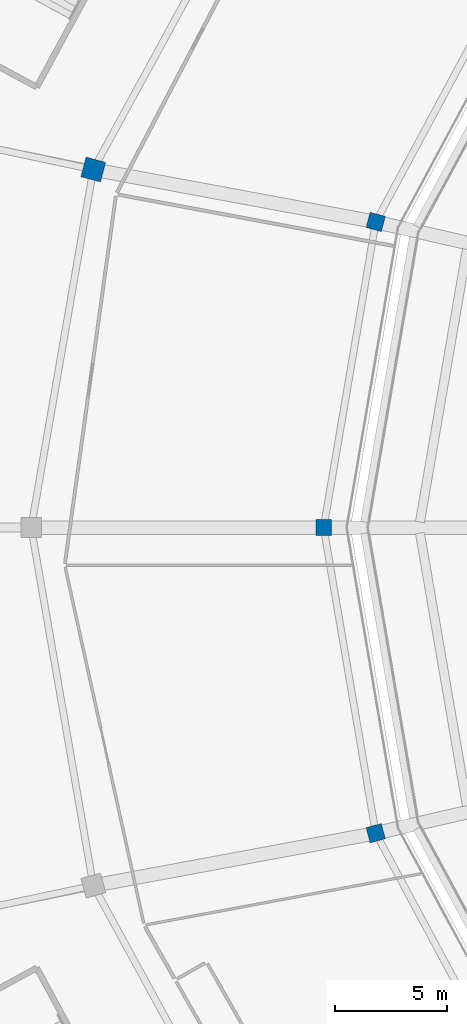
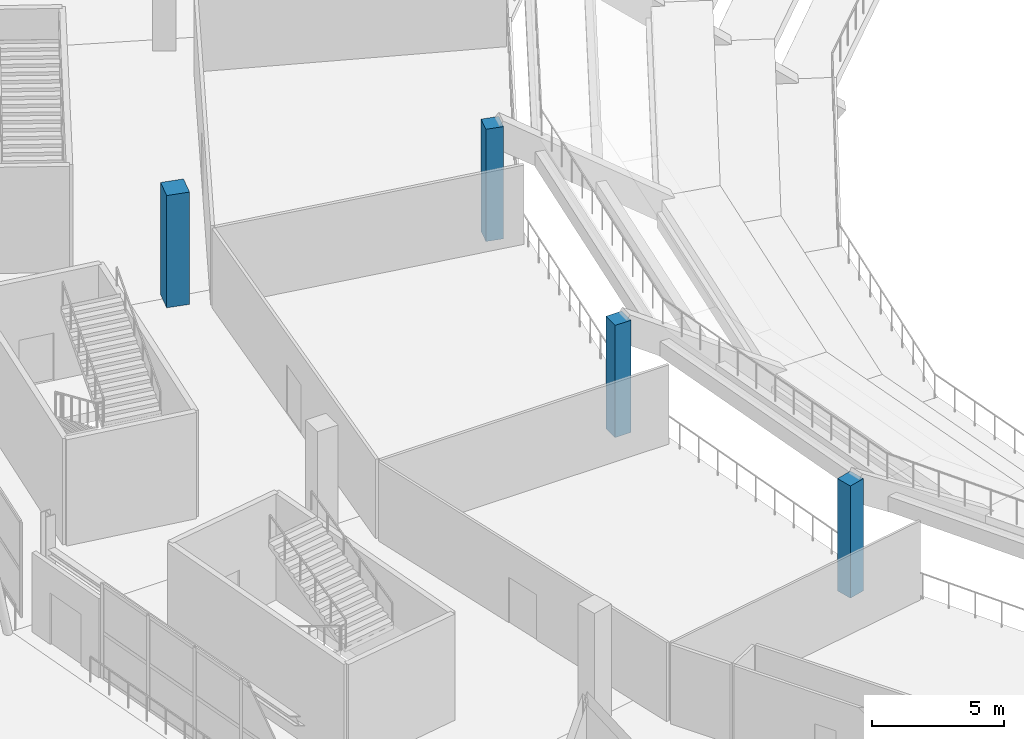
# One storey, part 8 of 178: 4 columns.
"""IFC4 building model written with IfcOpenShell, lengths in metres."""

from ifc_helpers import new_model, si_unit, direction, frame, origin, origin_2d, place, context, subcontext, project, spatial, rectangle, extrude, material, material_profile, profile_set, type_object, element, save


model = new_model("IFC4")

# Units and contexts
model_context = context("Model", 3, precision=1e-05, world=origin(), true_north=direction((0.0, 1.0)))
body_context = subcontext(model_context, "Body", "Model", "MODEL_VIEW")
ifc_project = project(units=[si_unit("LENGTHUNIT", "METRE"), si_unit("AREAUNIT", "SQUARE_METRE"), si_unit("VOLUMEUNIT", "CUBIC_METRE"), si_unit("PLANEANGLEUNIT", "RADIAN"), si_unit("MASSUNIT", "GRAM", prefix="KILO")], contexts=[model_context])

# Site, building, storey
site_placement = place(None, origin())
site = spatial("IfcSite", under=ifc_project, at=site_placement, CompositionType="ELEMENT")
building_placement = place(site_placement, origin())
building = spatial("IfcBuilding", under=site, at=building_placement, Name="Zlatoyarsky Gate Stadium", CompositionType="ELEMENT")
storey_placement = place(building_placement, frame((0.0, 0.0, 5.39990234375)))
storey = spatial("IfcBuildingStorey", under=building, at=storey_placement, Name="L01", CompositionType="ELEMENT", Elevation=5.39990234375)

# Columns
ifc_material = material(Name="Concrete C40/50", Category="concrete")
ifc_material_profile_1 = material_profile(ifc_material, rectangle(XDim=0.699951171875, YDim=0.699951171875, at=origin_2d()), Name="RC COL 700X700")
ifc_profile_set_1 = profile_set([ifc_material_profile_1], Name="Concrete C40/50")
column_type_1 = type_object("IfcColumnType", Name="CONCRETE COLUMN 700X700", PredefinedType="COLUMN", material=ifc_profile_set_1)
for number, where, z_axis, x_axis, name in (
    (1, (45.31689453125, 93.587890625, 0.0), (0.0, 0.0, 1.0), (-0.965925826289, 0.258819045103, 0.0), "Column RC-C70 RA-11 on L01"),
    (2, (43.0, 80.0, 0.0), (0.0, 0.0, 1.0), (-1.0, 0.0, 0.0), "Column RC-C70 RA-12 on L01"),
    (3, (45.31689453125, 66.412109375, 0.0), (0.0, 0.0, 1.0), (-0.965925826289, -0.258819045103, 0.0), "Column RC-C70 RA-13 on L01"),
):
    element("IfcColumn", number, at=place(storey_placement, frame(where, z_axis=z_axis, x_axis=x_axis)), inside=storey, type_object=column_type_1, Name=name, PredefinedType="COLUMN", context=body_context, shape_type="SweptSolid", body=[
        extrude(rectangle(XDim=0.699951171875, YDim=0.699951171875, at=origin_2d()), origin(), (0.0, 0.0, 1.0), 5.2001953125),
    ])
ifc_material_profile_2 = material_profile(ifc_material, rectangle(XDim=0.89990234375, YDim=0.89990234375, at=origin_2d()), Name="RC COL 900X900")
ifc_profile_set_2 = profile_set([ifc_material_profile_2], Name="Concrete C40/50")
column_type_2 = type_object("IfcColumnType", Name="CONCRETE COLUMN 900X900", PredefinedType="COLUMN", material=ifc_profile_set_2)
column_placement = place(storey_placement, frame((32.760009765625, 95.91748046875, 0.0), z_axis=(0.0, 0.0, 1.0), x_axis=(-0.965925826289, 0.258819045103, 0.0)))
element("IfcColumn", 4, at=column_placement, inside=storey, type_object=column_type_2, Name="Column RC-C90 RB-11 on L01", PredefinedType="COLUMN", context=body_context, shape_type="SweptSolid", body=[
    extrude(rectangle(XDim=0.89990234375, YDim=0.89990234375, at=origin_2d()), origin(), (0.0, 0.0, 1.0), 5.2001953125),
])

save(model, "model.ifc")
